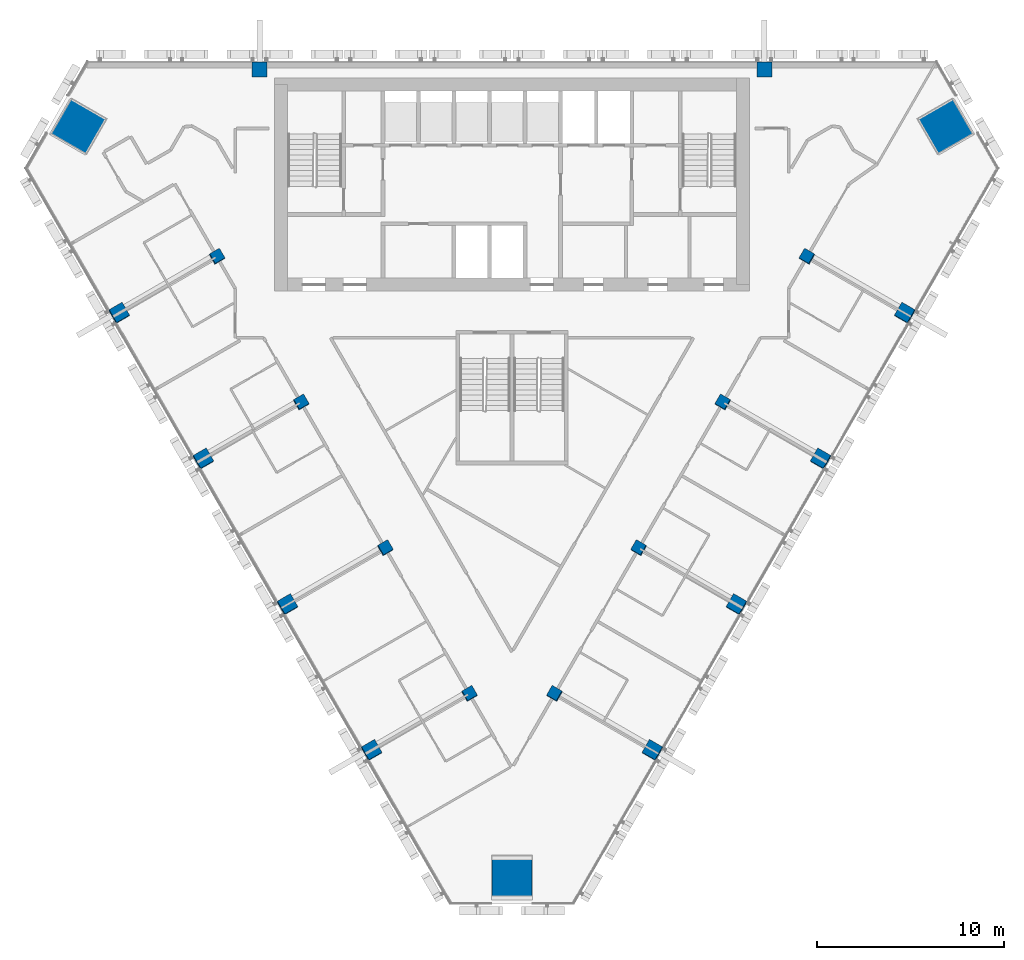
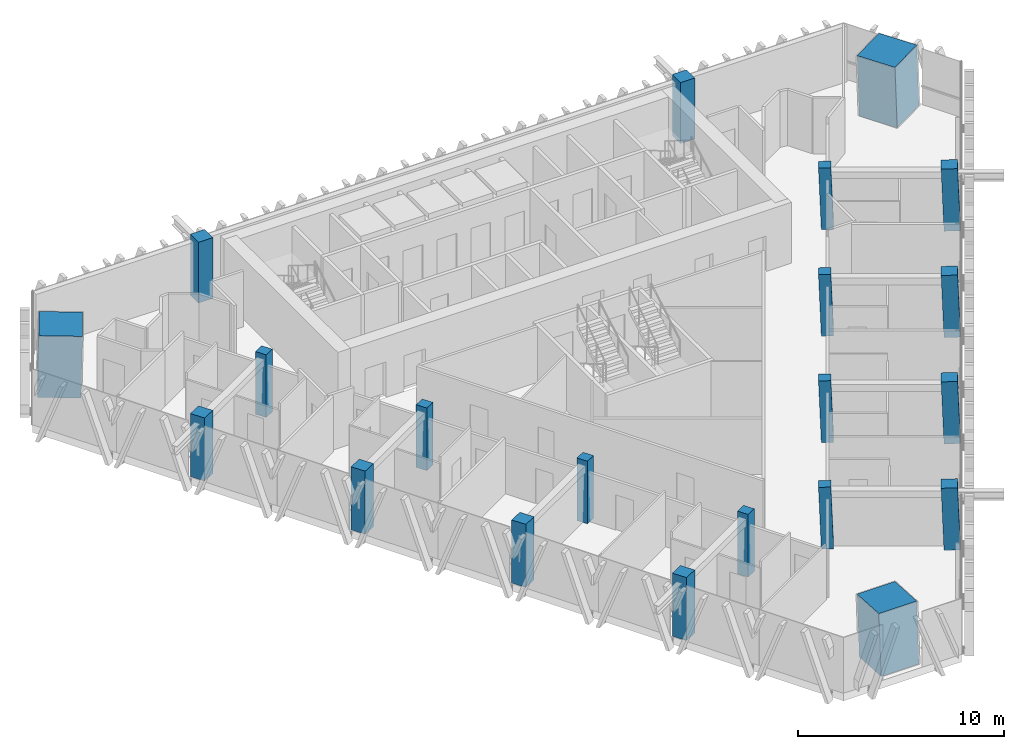
# One storey, part 1 of 15: 21 columns.
"""IFC4 building model written with IfcOpenShell, lengths in metres."""

import ifcopenshell
import ifcopenshell.guid

model = None  # the IFC model being written
_history = None  # IfcOwnerHistory: only IFC2X3 demands one
_inside = {}  # id of a spatial element -> (the spatial element, [elements in it])
_under = {}  # id of a project, library or spatial element -> (it, [spatial elements below it])
_declared = {}  # id of a project -> (the project, [libraries it declares])
_typed = {}  # id of a type object -> (the type object, [elements of that type])
_made_of = {}  # id of a material, layer set ... -> (it, [elements and type objects made of it])


def new_model(schema):
    """Start an empty IFC model of exactly this schema.

    Asked for "IFC4X3", IfcOpenShell would pick the latest addendum, in which some entities
    have other attributes; the version numbers below select the first issue.
    IFC2X3 requires an IfcOwnerHistory on every rooted entity: one is made here for all.
    """
    global model, _history
    if schema == "IFC4X3":
        model = ifcopenshell.file(schema_version=(4, 3, 0, 0))
    else:
        model = ifcopenshell.file(schema=schema)
    _inside.clear()
    _under.clear()
    _declared.clear()
    _typed.clear()
    _made_of.clear()
    _history = None
    if model.schema == "IFC2X3":
        org = make("IfcOrganization", Name="unknown")
        user = make(
            "IfcPersonAndOrganization",
            ThePerson=make("IfcPerson", FamilyName="unknown"),
            TheOrganization=org,
        )
        app = make(
            "IfcApplication",
            ApplicationDeveloper=org,
            Version="unknown",
            ApplicationFullName="unknown",
            ApplicationIdentifier="unknown",
        )
        _history = make(
            "IfcOwnerHistory",
            OwningUser=user,
            OwningApplication=app,
            ChangeAction="ADDED",
            CreationDate=0,
        )
    return model


def make(cls, **values):
    """One entity of the class cls with the attributes given. An attribute that is None is left unset."""
    return model.create_entity(
        cls, **{name: value for name, value in values.items() if value is not None}
    )


def rooted(cls, **values):
    """An entity with a GlobalId (a new one), such as an element, a storey or a relation."""
    return make(cls, GlobalId=ifcopenshell.guid.new(), OwnerHistory=_history, **values)


def si_unit(unit_type, name, prefix=None):
    """IfcSIUnit, for example si_unit("LENGTHUNIT", "METRE", prefix="MILLI")."""
    return make("IfcSIUnit", UnitType=unit_type, Prefix=prefix, Name=name)


def assignment(units):
    """IfcUnitAssignment: the units of a project."""
    return None if units is None else make("IfcUnitAssignment", Units=units)


def point(xyz):
    """IfcCartesianPoint."""
    return None if xyz is None else make("IfcCartesianPoint", Coordinates=xyz)


def direction(xyz):
    """IfcDirection."""
    return None if xyz is None else make("IfcDirection", DirectionRatios=xyz)


def frame(location, z_axis=None, x_axis=None):
    """IfcAxis2Placement3D, a coordinate frame: its origin and axes. An axis left out is left unset."""
    return make(
        "IfcAxis2Placement3D",
        Location=point(location),
        Axis=direction(z_axis),
        RefDirection=direction(x_axis),
    )


def frame_2d(location, x_axis=None):
    """IfcAxis2Placement2D, a coordinate frame in the plane: its origin and x axis."""
    return make(
        "IfcAxis2Placement2D", Location=point(location), RefDirection=direction(x_axis)
    )


def origin():
    """The frame at (0, 0, 0) with its axes left unset."""
    return frame((0.0, 0.0, 0.0))


def origin_2d():
    """The frame at (0, 0) in the plane with its x axis left unset."""
    return frame_2d((0.0, 0.0))


def place(relative_to, where):
    """IfcLocalPlacement: puts the frame where relative to a parent placement (None: the world)."""
    return make(
        "IfcLocalPlacement", PlacementRelTo=relative_to, RelativePlacement=where
    )


def context(
    kind, dimensions, precision=None, world=None, true_north=None, identifier=None
):
    """IfcGeometricRepresentationContext, for example the 3D "Model" context."""
    return make(
        "IfcGeometricRepresentationContext",
        ContextIdentifier=identifier,
        ContextType=kind,
        CoordinateSpaceDimension=dimensions,
        Precision=precision,
        WorldCoordinateSystem=world,
        TrueNorth=true_north,
    )


def subcontext(parent, identifier, kind, view, scale=None):
    """IfcGeometricRepresentationSubContext, for example "Body" below "Model"."""
    return make(
        "IfcGeometricRepresentationSubContext",
        ContextIdentifier=identifier,
        ContextType=kind,
        ParentContext=parent,
        TargetScale=scale,
        TargetView=view,
    )


def project(units=None, contexts=None):
    """IfcProject with its units and contexts."""
    return rooted(
        "IfcProject",
        Name="project",
        RepresentationContexts=contexts,
        UnitsInContext=assignment(units),
    )


def spatial(cls, under=None, at=None, **own):
    """A site, building, storey or space (cls), placed at a placement, below another one or the project."""
    s = rooted(cls, ObjectPlacement=at, **own)
    if under is not None:
        _under.setdefault(under.id(), (under, []))[1].append(s)
    return s


def profile(cls, at=None, kind="AREA", **sizes):
    """A parametric profile (cls). Its sizes go by their IFC names, for example OverallWidth=200.0."""
    return make(cls, ProfileType=kind, Position=at, **sizes)


def rectangle(**sizes):
    """IfcRectangleProfileDef."""
    return profile("IfcRectangleProfileDef", **sizes)


def extrude(swept, where, along, depth):
    """IfcExtrudedAreaSolid: the profile swept, set in the frame where, extruded along a direction by depth."""
    return make(
        "IfcExtrudedAreaSolid",
        SweptArea=swept,
        Position=where,
        ExtrudedDirection=direction(along),
        Depth=depth,
    )


def shape(context_of_items, identifier, shape_type, items):
    """IfcShapeRepresentation: the items that make up one representation, for example the "Body"."""
    return make(
        "IfcShapeRepresentation",
        ContextOfItems=context_of_items,
        RepresentationIdentifier=identifier,
        RepresentationType=shape_type,
        Items=items,
    )


def material(Name=None, Category=None):
    """IfcMaterial."""
    return make("IfcMaterial", Name=Name, Category=Category)


def material_profile(
    of_material, cross_section, Name=None, Category=None, Priority=None
):
    """IfcMaterialProfile: a cross section and its material."""
    return make(
        "IfcMaterialProfile",
        Name=Name,
        Material=of_material,
        Profile=cross_section,
        Priority=Priority,
        Category=Category,
    )


def profile_set(profiles, Name=None, composite=None):
    """IfcMaterialProfileSet."""
    return make(
        "IfcMaterialProfileSet",
        Name=Name,
        MaterialProfiles=profiles,
        CompositeProfile=composite,
    )


def made_of(thing, what):
    """Note that an element or type object is made of a material, layer set ...; save() writes the relation."""
    if what is not None:
        _made_of.setdefault(what.id(), (what, []))[1].append(thing)
    return thing


def type_object(cls, material=None, **own):
    """A type object (cls), such as IfcWallType, which elements share."""
    return made_of(rooted(cls, **own), material)


def element(
    cls,
    number,
    at=None,
    inside=None,
    cuts=None,
    type_object=None,
    material=None,
    context=None,
    identifier="Body",
    shape_type=None,
    held_by="IfcProductDefinitionShape",
    body=None,
    shapes=None,
    **own,
):
    """One element of the class cls, such as IfcWall. Its Tag is "e" and its number.

    at: its placement. inside: the storey or other place that contains it. cuts: it is an
    opening in that element (IfcRelVoidsElement). A single representation is given by context,
    identifier, shape_type and body (its items); several are given by shapes. held_by: the class
    of the entity that holds the representations. save() writes the other relations.
    """
    e = rooted(cls, Tag="e%d" % number, ObjectPlacement=at, **own)
    if body is not None:
        shapes = [shape(context, identifier, shape_type, body)]
    if shapes is not None:
        e.Representation = make(held_by, Representations=shapes)
    if inside is not None:
        _inside.setdefault(inside.id(), (inside, []))[1].append(e)
    if cuts is not None:
        rooted(
            "IfcRelVoidsElement", RelatingBuildingElement=cuts, RelatedOpeningElement=e
        )
    if type_object is not None:
        _typed.setdefault(type_object.id(), (type_object, []))[1].append(e)
    return made_of(e, material)


def aggregate(whole, parts):
    """IfcRelAggregates: a whole, such as a stair, and the parts it consists of."""
    return rooted("IfcRelAggregates", RelatingObject=whole, RelatedObjects=parts)


def save(model, path):
    """Write the relations noted so far, then the file.

    IfcRelAggregates (storeys below a building ...), IfcRelContainedInSpatialStructure (elements
    in a storey), IfcRelDefinesByType, IfcRelAssociatesMaterial and IfcRelDeclares: one each for
    every whole, place, type object, material and project.
    """
    for whole, parts in _under.values():
        aggregate(whole, parts)
    for where, things in _inside.values():
        rooted(
            "IfcRelContainedInSpatialStructure",
            RelatedElements=things,
            RelatingStructure=where,
        )
    for kind, things in _typed.values():
        rooted("IfcRelDefinesByType", RelatedObjects=things, RelatingType=kind)
    for what, things in _made_of.values():
        rooted("IfcRelAssociatesMaterial", RelatedObjects=things, RelatingMaterial=what)
    for by, libraries in _declared.values():
        rooted("IfcRelDeclares", RelatingContext=by, RelatedDefinitions=libraries)
    model.write(path)


model = new_model("IFC4")

# Units and contexts
model_context = context("Model", 3, precision=1e-05, world=origin(), true_north=direction((0.0, 1.0)))
body_context = subcontext(model_context, "Body", "Model", "MODEL_VIEW")
ifc_project = project(units=[si_unit("LENGTHUNIT", "METRE"), si_unit("AREAUNIT", "SQUARE_METRE"), si_unit("VOLUMEUNIT", "CUBIC_METRE"), si_unit("PLANEANGLEUNIT", "RADIAN"), si_unit("MASSUNIT", "GRAM", prefix="KILO")], contexts=[model_context])

# Site, building, storey
site_placement = place(None, origin())
site = spatial("IfcSite", under=ifc_project, at=site_placement, CompositionType="ELEMENT")
building_placement = place(site_placement, origin())
building = spatial("IfcBuilding", under=site, at=building_placement, Name="Altiplano Prism Tower", CompositionType="ELEMENT")
storey_placement = place(building_placement, frame((0.0, 0.0, 185.39990234375)))
storey = spatial("IfcBuildingStorey", under=building, at=storey_placement, Name="L48", CompositionType="ELEMENT", Elevation=185.39990234375)

# Columns
ifc_material_1 = material(Name="Concrete C60/75", Category="concrete")
ifc_material_profile_1 = material_profile(ifc_material_1, rectangle(XDim=0.60009765625, YDim=0.60009765625, at=origin_2d()), Name="Inner column 600")
ifc_profile_set_1 = profile_set([ifc_material_profile_1], Name="Concrete C60/75")
column_type_1 = type_object("IfcColumnType", Name="Inner column 600", PredefinedType="COLUMN", material=ifc_profile_set_1)
for number, where, z_axis, x_axis, name in (
    (1, (69.211669921875, 94.53662109375, -0.01806640625), (0.022222852987, 0.038483477124, 0.999012095419), (-0.86564203211, -0.499182083575, 0.038485317735), "Inner column I11 L48"),
    (2, (73.711669921875, 86.742431640625, -0.01806640625), (0.022222852987, 0.038483477124, 0.999012095419), (-0.86564204084, -0.499182068467, 0.038485317347), "Inner column I12 L48"),
    (3, (78.211669921875, 78.9482421875, -0.01806640625), (0.022222910879, 0.038415824599, 0.999014697916), (-0.866018645871, -0.498532312818, 0.038434855016), "Inner column I13 L48"),
    (4, (82.711669921875, 71.154052734375, -0.01806640625), (0.022222910879, 0.038415824599, 0.999014697916), (-0.866018645871, -0.498532312818, 0.038434855016), "Inner column I14 L48"),
    (5, (87.288330078125, 71.154052734375, -0.01806640625), (-0.022222910879, 0.038415824599, 0.999014697916), (-0.49951761454, -0.866019490252, 0.022189981241), "Inner column I21 L48"),
    (6, (91.788330078125, 78.9482421875, -0.01806640625), (-0.022222910879, 0.038415824599, 0.999014697916), (-0.49951761454, -0.866019490252, 0.022189981241), "Inner column I22 L48"),
    (7, (96.288330078125, 86.742431640625, -0.01806640625), (-0.022222852987, 0.038483477124, 0.999012095419), (-0.500169973044, -0.865642122652, 0.022219665955), "Inner column I23 L48"),
    (8, (100.788330078125, 94.53662109375, -0.01806640625), (-0.022222852987, 0.038483477124, 0.999012095419), (-0.500169973044, -0.865642122652, 0.022219665955), "Inner column I24 L48"),
):
    element("IfcColumn", number, at=place(storey_placement, frame(where, z_axis=z_axis, x_axis=x_axis)), inside=storey, type_object=column_type_1, Name=name, PredefinedType="COLUMN", context=body_context, shape_type="SweptSolid", body=[
        extrude(rectangle(XDim=0.60009765625, YDim=0.60009765625, at=origin_2d()), origin(), (0.0, 0.0, 1.0), 3.603515625),
    ])
ifc_material_2 = material(Name="Concrete C70/85", Category="concrete")
ifc_material_profile_2 = material_profile(ifc_material_2, rectangle(XDim=2.1201171875, YDim=2.1201171875, at=origin_2d()), Name="Mega column infill 2200")
ifc_profile_set_2 = profile_set([ifc_material_profile_2], Name="Concrete C70/85")
column_type_2 = type_object("IfcColumnType", Name="Mega column infill 2200", PredefinedType="COLUMN", material=ifc_profile_set_2)
column_1_placement = place(storey_placement, frame((61.751953125, 101.486328125, 0.0), z_axis=(0.028334066552, 0.009286524205, 0.999555371723), x_axis=(-0.866555685867, 0.498682266759, 0.019930883368)))
element("IfcColumn", 9, at=column_1_placement, inside=storey, type_object=column_type_2, Name="Mega column M0 L48", PredefinedType="COLUMN", context=body_context, shape_type="SweptSolid", body=[
    extrude(rectangle(XDim=2.1201171875, YDim=2.1201171875, at=origin_2d()), origin(), (0.0, 0.0, 1.0), 3.601806640625),
])
column_2_placement = place(storey_placement, frame((85.0, 61.21923828125, 0.0), z_axis=(0.0, 0.058356907999, 0.998295783467), x_axis=(-1.0, 0.0, 0.0)))
element("IfcColumn", 10, at=column_2_placement, inside=storey, type_object=column_type_2, Name="Mega column M1 L48", PredefinedType="COLUMN", context=body_context, shape_type="SweptSolid", body=[
    extrude(rectangle(XDim=2.1201171875, YDim=2.1201171875, at=origin_2d()), origin(), (0.0, 0.0, 1.0), 3.606201171875),
])
column_3_placement = place(storey_placement, frame((108.248046875, 101.486328125, 0.0), z_axis=(-0.028334066552, 0.009286524205, 0.999555371723), x_axis=(0.498272954388, -0.866736549779, 0.02217692949)))
element("IfcColumn", 11, at=column_3_placement, inside=storey, type_object=column_type_2, Name="Mega column M2 L48", PredefinedType="COLUMN", context=body_context, shape_type="SweptSolid", body=[
    extrude(rectangle(XDim=2.1201171875, YDim=2.1201171875, at=origin_2d()), origin(), (0.0, 0.0, 1.0), 3.601806640625),
])
ifc_material_profile_3 = material_profile(ifc_material_1, rectangle(XDim=0.800048828125, YDim=0.800048828125, at=origin_2d()), Name="Perimeter column 800")
ifc_profile_set_3 = profile_set([ifc_material_profile_3], Name="Concrete C60/75")
column_type_3 = type_object("IfcColumnType", Name="Perimeter column 800", PredefinedType="COLUMN", material=ifc_profile_set_3)
for number, where, z_axis, x_axis, name in (
    (12, (98.5, 104.550048828125, 0.0), (0.0, 0.0, 1.0), (1.0, 0.0, 0.0), "Perimeter column P01 L48"),
    (13, (71.5, 104.550048828125, 0.0), (0.0, 0.0, 1.0), (1.0, 0.0, 0.0), "Perimeter column P04 L48"),
):
    element("IfcColumn", number, at=place(storey_placement, frame(where, z_axis=z_axis, x_axis=x_axis)), inside=storey, type_object=column_type_3, Name=name, PredefinedType="COLUMN", context=body_context, shape_type="SweptSolid", body=[
        extrude(rectangle(XDim=0.800048828125, YDim=0.800048828125, at=origin_2d()), origin(), (0.0, 0.0, 1.0), 3.60009765625),
    ])
for number, where, z_axis, x_axis, name in (
    (14, (63.97216796875, 91.511474609375, -0.024169921875), (0.02220780257, 0.038426228083, 0.999014633777), (-0.865818494865, -0.498879763134, 0.038435867164), "Perimeter column P11 L48"),
    (15, (68.47216796875, 83.71728515625, -0.024169921875), (0.02220780257, 0.038426228083, 0.999014633777), (-0.865818494865, -0.498879763134, 0.038435867164), "Perimeter column P12 L48"),
    (16, (72.97216796875, 75.923095703125, -0.024169921875), (0.02220780257, 0.038426228083, 0.999014633777), (-0.8658131381, -0.498889041499, 0.038436104969), "Perimeter column P13 L48"),
    (17, (77.47216796875, 68.128662109375, -0.024169921875), (0.022207745091, 0.038493424825, 0.999012048127), (-0.86543374804, -0.499543010067, 0.038486476161), "Perimeter column P14 L48"),
    (18, (92.52783203125, 68.128662109375, -0.024169921875), (-0.022207745091, 0.038493424825, 0.999012048127), (-0.500530961891, -0.865433438999, 0.022219785092), "Perimeter column P21 L48"),
    (19, (97.02783203125, 75.923095703125, -0.024169921875), (-0.02220780257, 0.038426228083, 0.999014633777), (-0.499874407625, -0.865813576509, 0.022190703784), "Perimeter column P22 L48"),
    (20, (101.52783203125, 83.71728515625, -0.024169921875), (-0.02220780257, 0.038426228083, 0.999014633777), (-0.499865129264, -0.865818922715, 0.022191115676), "Perimeter column P23 L48"),
    (21, (106.02783203125, 91.511474609375, -0.024169921875), (-0.02220780257, 0.038426228083, 0.999014633777), (-0.499865129264, -0.865818922715, 0.022191115676), "Perimeter column P24 L48"),
):
    element("IfcColumn", number, at=place(storey_placement, frame(where, z_axis=z_axis, x_axis=x_axis)), inside=storey, type_object=column_type_3, Name=name, PredefinedType="COLUMN", context=body_context, shape_type="SweptSolid", body=[
        extrude(rectangle(XDim=0.800048828125, YDim=0.800048828125, at=origin_2d()), origin(), (0.0, 0.0, 1.0), 3.6279296875),
    ])

save(model, "model.ifc")
